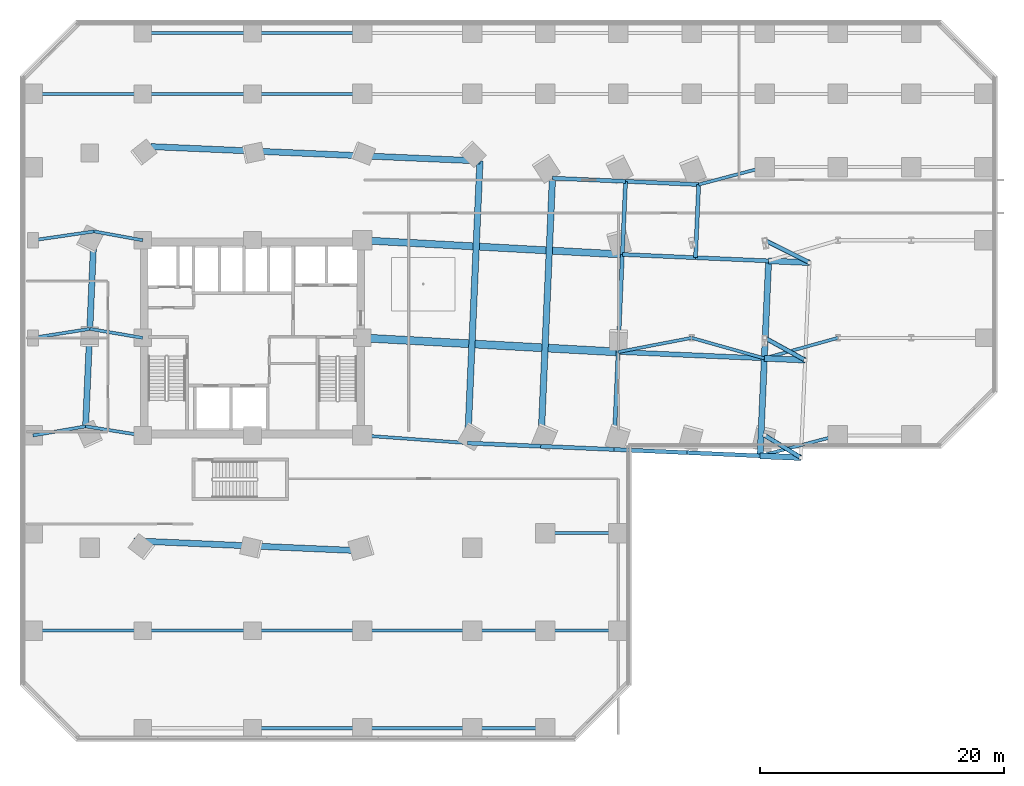
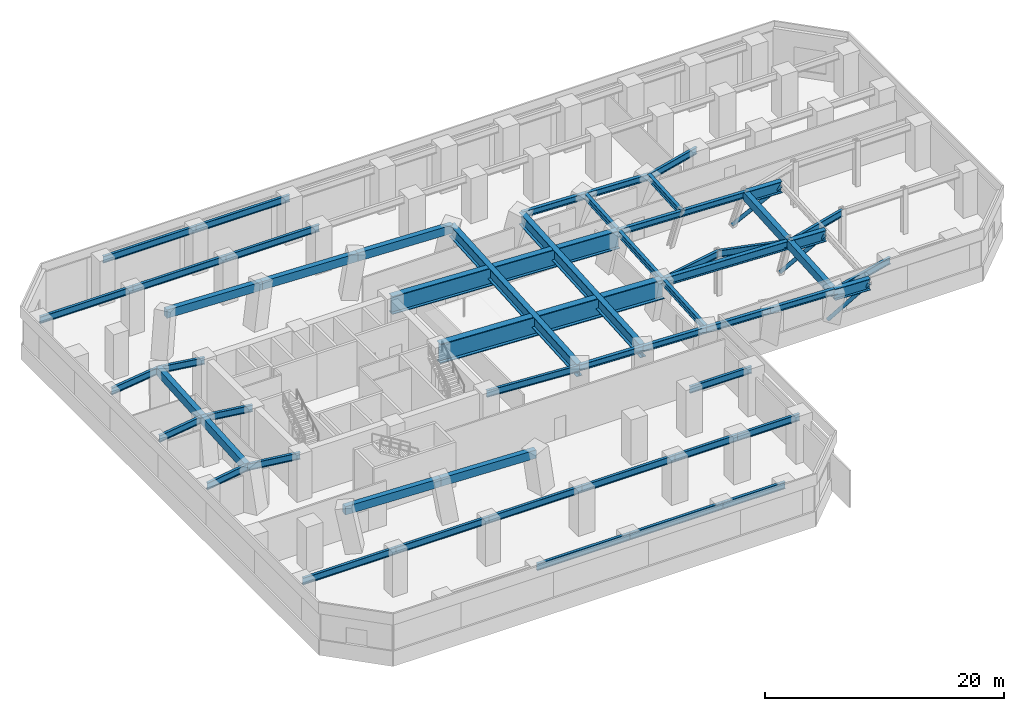
# One storey, part 2 of 14: 56 beams, 3 members.
"""IFC4 building model written with IfcOpenShell, lengths in metres."""

from ifc_helpers import new_model, si_unit, direction, frame, origin, origin_2d, place, context, subcontext, project, spatial, rectangle, hollow_circle, i_section, extrude, source, transform, mapped, material, material_profile, profile_set, type_object, element, save


model = new_model("IFC4")

# Units and contexts
model_context = context("Model", 3, precision=1e-05, world=origin(), true_north=direction((0.0, 1.0)))
body_context = subcontext(model_context, "Body", "Model", "MODEL_VIEW")
ifc_project = project(units=[si_unit("LENGTHUNIT", "METRE"), si_unit("AREAUNIT", "SQUARE_METRE"), si_unit("VOLUMEUNIT", "CUBIC_METRE"), si_unit("PLANEANGLEUNIT", "RADIAN"), si_unit("MASSUNIT", "GRAM", prefix="KILO")], contexts=[model_context])

# Site, building, storey
site_placement = place(None, origin())
site = spatial("IfcSite", under=ifc_project, at=site_placement, CompositionType="ELEMENT")
building_placement = place(site_placement, origin())
building = spatial("IfcBuilding", under=site, at=building_placement, Name="Torre Montelarca", CompositionType="ELEMENT")
storey_placement = place(building_placement, frame((0.0, 0.0, 28.0)))
storey = spatial("IfcBuildingStorey", under=building, at=storey_placement, Name="L06", CompositionType="ELEMENT", Elevation=28.0)

# Members
ifc_material_1 = material(Name="Steel ASTM A500 Grade C", Category="steel")
ifc_material_profile_1 = material_profile(ifc_material_1, hollow_circle(Radius=0.177734375, WallThickness=0.015869140625, at=origin_2d()), Name="HSS355.6X15.9", Category="steel")
ifc_profile_set_1 = profile_set([ifc_material_profile_1], Name="Steel ASTM A500 Grade C")
member_type = type_object("IfcMemberType", Name="MB-BR-CHS356-EXT", PredefinedType="BRACE", material=ifc_profile_set_1)
shared_shape_1 = source(origin(), body_context, "Body", "SweptSolid", [
    extrude(hollow_circle(Radius=0.177734375, WallThickness=0.015869140625, at=origin_2d()), origin(), (0.0, 0.0, 1.0), 5.1455078125),
])
member_1_placement = place(storey_placement, frame((60.0, 24.0, 0.14990234375), z_axis=(0.575485594308, -0.353290933731, 0.737564808601), x_axis=(0.523179779785, 0.852222340721, 0.0)))
element("IfcMember", 1, at=member_1_placement, inside=storey, type_object=member_type, Name="L07 Sliding Tray Exterior Diagonal Raker Strut E1", PredefinedType="BRACE", context=body_context, shape_type="MappedRepresentation", body=[
    mapped(shared_shape_1, transform((0.0, 0.0, 0.0), scale=1.0)),
])
shared_shape_2 = source(origin(), body_context, "Body", "SweptSolid", [
    extrude(hollow_circle(Radius=0.177734375, WallThickness=0.015869140625, at=origin_2d()), origin(), (0.0, 0.0, 1.0), 5.356689453125),
])
member_2_placement = place(storey_placement, frame((60.0, 32.0, 0.14990234375), z_axis=(0.617980900768, -0.340780529172, 0.708497168112), x_axis=(0.482887821121, 0.875682221021, 0.0)))
element("IfcMember", 2, at=member_2_placement, inside=storey, type_object=member_type, Name="L07 Sliding Tray Exterior Diagonal Raker Strut E2", PredefinedType="BRACE", context=body_context, shape_type="MappedRepresentation", body=[
    mapped(shared_shape_2, transform((0.0, 0.0, 0.0), scale=1.0)),
])
shared_shape_3 = source(origin(), body_context, "Body", "SweptSolid", [
    extrude(hollow_circle(Radius=0.177734375, WallThickness=0.015869140625, at=origin_2d()), origin(), (0.0, 0.0, 1.0), 5.58154296875),
])
member_3_placement = place(storey_placement, frame((60.0, 40.0, 0.14990234375), z_axis=(0.655594349774, -0.328409552849, 0.679958244411), x_axis=(0.447881594579, 0.894092879536, 0.0)))
element("IfcMember", 3, at=member_3_placement, inside=storey, type_object=member_type, Name="L07 Sliding Tray Exterior Diagonal Raker Strut E3", PredefinedType="BRACE", context=body_context, shape_type="MappedRepresentation", body=[
    mapped(shared_shape_3, transform((0.0, 0.0, 0.0), scale=1.0)),
])

# Beams
ifc_material_2 = material(Name="Concrete C55/67", Category="concrete")
ifc_material_profile_2 = material_profile(ifc_material_2, rectangle(XDim=0.5, YDim=0.85009765625, at=origin_2d()), Name="RCB500X850", Category="concrete")
ifc_profile_set_2 = profile_set([ifc_material_profile_2], Name="Concrete C55/67")
beam_type_1 = type_object("IfcBeamType", Name="BM-SP-RC850-EXT", PredefinedType="SPANDREL", material=ifc_profile_set_2)
shared_shape_4 = source(origin(), body_context, "Body", "SweptSolid", [
    extrude(rectangle(XDim=0.5, YDim=0.85009765625, at=origin_2d()), origin(), (0.0, 0.0, 1.0), 9.0),
])
for number, where, z_axis, x_axis, name in (
    (4, (8.26171875, 15.361572265625, 4.094970703125), (0.999048208421, -0.043619688809, 0.0), (0.043619688809, 0.999048208421, 0.0), "L06 Grid Girder X 9.0-18.0 at Y=14.8"),
    (5, (27.655517578125, 46.895751953125, 4.094970703125), (0.999048208421, -0.043619688809, 0.0), (0.043619688809, 0.999048208421, 0.0), "L06 Grid Girder X 27.0-36.0 at Y=47.1"),
):
    element("IfcBeam", number, at=place(storey_placement, frame(where, z_axis=z_axis, x_axis=x_axis)), inside=storey, type_object=beam_type_1, Name=name, PredefinedType="SPANDREL", context=body_context, shape_type="MappedRepresentation", body=[
        mapped(shared_shape_4, transform((0.0, 0.0, 0.0), scale=1.0)),
    ])
ifc_material_3 = material(Name="Steel ASTM A992 Grade 50", Category="steel")
ifc_material_profile_3 = material_profile(ifc_material_3, i_section(OverallWidth=0.326904296875, OverallDepth=0.6220703125, WebThickness=0.015380859375, FlangeThickness=0.0244140625, FilletRadius=0.014892578125, at=origin_2d()), Name="W610X195", Category="steel")
ifc_profile_set_3 = profile_set([ifc_material_profile_3], Name="Steel ASTM A992 Grade 50")
beam_type_2 = type_object("IfcBeamType", Name="BM-G-W610H", PredefinedType="BEAM", material=ifc_profile_set_3)
shared_shape_5 = source(origin(), body_context, "Body", "SweptSolid", [
    extrude(i_section(OverallWidth=0.326904296875, OverallDepth=0.6220703125, WebThickness=0.015380859375, FlangeThickness=0.0244140625, FilletRadius=0.014892578125, at=origin_2d()), origin(), (0.0, 0.0, 1.0), 6.0),
])
for number, where, z_axis, x_axis, name in (
    (6, (35.63720703125, 23.375, 4.208984375), (0.999048234227, -0.043619097751, 0.0), (0.043619097751, 0.999048234227, 0.0), "L06 Grid Girder X 36.0-42.0 at Y=24.0"),
    (7, (47.625732421875, 22.851806640625, 4.208984375), (0.999048234227, -0.043619097751, 0.0), (0.043619097751, 0.999048234227, 0.0), "L06 Grid Girder X 48.0-54.0 at Y=24.0"),
    (8, (53.6201171875, 22.590087890625, 4.208984375), (0.999048234227, -0.043619097751, 0.0), (0.043619097751, 0.999048234227, 0.0), "L06 Grid Girder X 54.0-60.0 at Y=24.0"),
    (9, (48.32373046875, 38.83642578125, 4.208984375), (0.999048234227, -0.043619097751, 0.0), (0.043619097751, 0.999048234227, 0.0), "L06 Grid Girder X 48.0-54.0 at Y=40.0"),
    (10, (48.32373046875, 38.83642578125, 4.208984375), (0.043619097751, 0.999048234227, 0.0), (-0.999048234227, 0.043619097751, 0.0), "L06 Grid Girder Y 40.0-46.0 at X=48.0"),
    (11, (54.318115234375, 38.57470703125, 4.208984375), (0.043578485603, 0.999050006552, 0.0), (-0.999050006552, 0.043578485603, 0.0), "L06 Grid Girder Y 40.0-46.0 at X=54.0"),
):
    element("IfcBeam", number, at=place(storey_placement, frame(where, z_axis=z_axis, x_axis=x_axis)), inside=storey, type_object=beam_type_2, Name=name, PredefinedType="BEAM", context=body_context, shape_type="MappedRepresentation", body=[
        mapped(shared_shape_5, transform((0.0, 0.0, 0.0), scale=1.0)),
    ])
shared_shape_6 = source(origin(), body_context, "Body", "SweptSolid", [
    extrude(rectangle(XDim=0.5, YDim=0.85009765625, at=origin_2d()), origin(), (0.0, 0.0, 1.0), 8.0),
])
for number, where, z_axis, x_axis, name in (
    (12, (4.317138671875, 24.74267578125, 4.094970703125), (0.043609387923, 0.999048658117, 0.0), (-0.999048658117, 0.043609387923, 0.0), "L06 Grid Girder Y 24.0-32.0 at X=4.7"),
    (13, (59.614501953125, 22.328369140625, 4.094970703125), (0.043609387923, 0.999048658117, 0.0), (-0.999048658117, 0.043609387923, 0.0), "L06 Grid Girder Y 24.0-32.0 at X=60.0"),
):
    element("IfcBeam", number, at=place(storey_placement, frame(where, z_axis=z_axis, x_axis=x_axis)), inside=storey, type_object=beam_type_1, Name=name, PredefinedType="SPANDREL", context=body_context, shape_type="MappedRepresentation", body=[
        mapped(shared_shape_6, transform((0.0, 0.0, 0.0), scale=1.0)),
    ])
shared_shape_7 = source(origin(), body_context, "Body", "SweptSolid", [
    extrude(i_section(OverallWidth=0.326904296875, OverallDepth=0.6220703125, WebThickness=0.015380859375, FlangeThickness=0.0244140625, FilletRadius=0.014892578125, at=origin_2d()), origin(), (0.0, 0.0, 1.0), 8.0),
])
beam_1_placement = place(storey_placement, frame((47.974853515625, 30.843994140625, 4.208984375), z_axis=(0.043609387923, 0.999048658117, 0.0), x_axis=(-0.999048658117, 0.043609387923, 0.0)))
element("IfcBeam", 14, at=beam_1_placement, inside=storey, type_object=beam_type_2, Name="L06 Grid Girder Y 32.0-40.0 at X=48.0", PredefinedType="BEAM", context=body_context, shape_type="MappedRepresentation", body=[
    mapped(shared_shape_7, transform((0.0, 0.0, 0.0), scale=1.0)),
])
ifc_material_4 = material(Name="Steel ASTM A572 Grade 50", Category="steel")
ifc_material_profile_4 = material_profile(ifc_material_4, i_section(OverallWidth=0.64990234375, OverallDepth=2.0, WebThickness=0.035888671875, FlangeThickness=0.074951171875, at=origin_2d()), Name="PG2000X650X36X75", Category="steel")
ifc_profile_set_4 = profile_set([ifc_material_profile_4], Name="Steel ASTM A572 Grade 50")
beam_type_3 = type_object("IfcBeamType", Name="BM-TG-PG2400", PredefinedType="USERDEFINED", material=ifc_profile_set_4)
shared_shape_8 = source(origin(), body_context, "Body", "SweptSolid", [
    extrude(i_section(OverallWidth=0.64990234375, OverallDepth=2.0, WebThickness=0.035888671875, FlangeThickness=0.074951171875, at=origin_2d()), origin(), (0.0, 0.0, 1.0), 21.006591796875),
])
beam_2_placement = place(storey_placement, frame((27.0, 32.0, 3.52001953125), z_axis=(0.99848468059, -0.055030379135, 0.0), x_axis=(0.055030379135, 0.99848468059, 0.0)))
element("IfcBeam", 15, at=beam_2_placement, inside=storey, type_object=beam_type_3, Name="L06 Steel Transfer Girder Y=32m", ObjectType="TRANSFER GIRDER", PredefinedType="USERDEFINED", context=body_context, shape_type="MappedRepresentation", body=[
    mapped(shared_shape_8, transform((0.0, 0.0, 0.0), scale=1.0)),
])
ifc_material_profile_5 = material_profile(ifc_material_4, i_section(OverallWidth=0.580078125, OverallDepth=1.85009765625, WebThickness=0.030029296875, FlangeThickness=0.06494140625, at=origin_2d()), Name="PG1850X580X30X65", Category="steel")
ifc_profile_set_5 = profile_set([ifc_material_profile_5], Name="Steel ASTM A572 Grade 50")
beam_type_4 = type_object("IfcBeamType", Name="BM-TG-PG2200", PredefinedType="USERDEFINED", material=ifc_profile_set_5)
shared_shape_9 = source(origin(), body_context, "Body", "SweptSolid", [
    extrude(i_section(OverallWidth=0.580078125, OverallDepth=1.85009765625, WebThickness=0.030029296875, FlangeThickness=0.06494140625, at=origin_2d()), origin(), (0.0, 0.0, 1.0), 21.35546875),
])
beam_3_placement = place(storey_placement, frame((27.0, 40.0, 3.594970703125), z_axis=(0.998514532069, -0.054486046345, 0.0), x_axis=(0.054486046345, 0.998514532069, 0.0)))
element("IfcBeam", 16, at=beam_3_placement, inside=storey, type_object=beam_type_4, Name="L06 Steel Transfer Girder Y=40m", ObjectType="TRANSFER GIRDER", PredefinedType="USERDEFINED", context=body_context, shape_type="MappedRepresentation", body=[
    mapped(shared_shape_9, transform((0.0, 0.0, 0.0), scale=1.0)),
])
ifc_material_profile_6 = material_profile(ifc_material_4, i_section(OverallWidth=0.52001953125, OverallDepth=1.25, WebThickness=0.02587890625, FlangeThickness=0.054931640625, at=origin_2d()), Name="PG1250X520X26X55", Category="steel")
ifc_profile_set_6 = profile_set([ifc_material_profile_6], Name="Steel ASTM A572 Grade 50")
beam_type_5 = type_object("IfcBeamType", Name="BM-TG-PG1800", PredefinedType="USERDEFINED", material=ifc_profile_set_6)
shared_shape_10 = source(origin(), body_context, "Body", "SweptSolid", [
    extrude(i_section(OverallWidth=0.52001953125, OverallDepth=1.25, WebThickness=0.02587890625, FlangeThickness=0.054931640625, at=origin_2d()), origin(), (0.0, 0.0, 1.0), 23.150146484375),
])
beam_4_placement = place(storey_placement, frame((35.63720703125, 23.375, 3.89501953125), z_axis=(0.04361799685, 0.999048282292, 0.0), x_axis=(-0.999048282292, 0.04361799685, 0.0)))
element("IfcBeam", 17, at=beam_4_placement, inside=storey, type_object=beam_type_5, Name="L06 Transverse Steel Transfer Girder X=36m", ObjectType="TRANSFER GIRDER", PredefinedType="USERDEFINED", context=body_context, shape_type="MappedRepresentation", body=[
    mapped(shared_shape_10, transform((0.0, 0.0, 0.0), scale=1.0)),
])
shared_shape_11 = source(origin(), body_context, "Body", "SweptSolid", [
    extrude(i_section(OverallWidth=0.52001953125, OverallDepth=1.25, WebThickness=0.02587890625, FlangeThickness=0.054931640625, at=origin_2d()), origin(), (0.0, 0.0, 1.0), 22.000244140625),
])
beam_5_placement = place(storey_placement, frame((41.631591796875, 23.11328125, 3.89501953125), z_axis=(0.043623112174, 0.999048058946, 0.0), x_axis=(-0.999048058946, 0.043623112174, 0.0)))
element("IfcBeam", 18, at=beam_5_placement, inside=storey, type_object=beam_type_5, Name="L06 Transverse Steel Transfer Girder X=42m", ObjectType="TRANSFER GIRDER", PredefinedType="USERDEFINED", context=body_context, shape_type="MappedRepresentation", body=[
    mapped(shared_shape_11, transform((0.0, 0.0, 0.0), scale=1.0)),
])
ifc_material_profile_7 = material_profile(ifc_material_3, i_section(OverallWidth=0.256103515625, OverallDepth=0.693115234375, WebThickness=0.014404296875, FlangeThickness=0.023681640625, FilletRadius=0.01806640625, at=origin_2d()), Name="W690X170", Category="steel")
ifc_profile_set_7 = profile_set([ifc_material_profile_7], Name="Steel ASTM A992 Grade 50")
beam_type_6 = type_object("IfcBeamType", Name="BM-G-W690", PredefinedType="BEAM", material=ifc_profile_set_7)
shared_shape_12 = source(origin(), body_context, "Body", "SweptSolid", [
    extrude(i_section(OverallWidth=0.256103515625, OverallDepth=0.693115234375, WebThickness=0.014404296875, FlangeThickness=0.023681640625, FilletRadius=0.01806640625, at=origin_2d()), origin(), (0.0, 0.0, 1.0), 9.0),
])
for number, where, z_axis, x_axis, name in (
    (19, (18.0, 0.0, 4.154052734375), (1.0, 0.0, 0.0), (0.0, 1.0, 0.0), "L06 Podium Roof Cap Girder 18-27 Y=0m"),
    (20, (27.0, 0.0, 4.154052734375), (1.0, 0.0, 0.0), (0.0, 1.0, 0.0), "L06 Podium Roof Cap Girder 27-36 Y=0m"),
    (21, (0.0, 8.0, 4.154052734375), (1.0, 0.0, 0.0), (0.0, 1.0, 0.0), "L06 Podium Roof Cap Girder 0-9 Y=8m"),
    (22, (9.0, 8.0, 4.154052734375), (1.0, 0.0, 0.0), (0.0, 1.0, 0.0), "L06 Podium Roof Cap Girder 9-18 Y=8m"),
    (23, (18.0, 8.0, 4.154052734375), (1.0, 0.0, 0.0), (0.0, 1.0, 0.0), "L06 Podium Roof Cap Girder 18-27 Y=8m"),
    (24, (27.0, 8.0, 4.154052734375), (1.0, 0.0, 0.0), (0.0, 1.0, 0.0), "L06 Podium Roof Cap Girder 27-36 Y=8m"),
    (25, (0.0, 52.0, 4.154052734375), (1.0, 0.0, 0.0), (0.0, 1.0, 0.0), "L06 Podium Roof Cap Girder 0-9 Y=52m"),
    (26, (9.0, 52.0, 4.154052734375), (1.0, 0.0, 0.0), (0.0, 1.0, 0.0), "L06 Podium Roof Cap Girder 9-18 Y=52m"),
    (27, (18.0, 52.0, 4.154052734375), (1.0, 0.0, 0.0), (0.0, 1.0, 0.0), "L06 Podium Roof Cap Girder 18-27 Y=52m"),
    (28, (9.0, 57.0, 4.154052734375), (1.0, 0.0, 0.0), (0.0, 1.0, 0.0), "L06 Podium Roof Cap Girder 9-18 Y=57m"),
    (29, (18.0, 57.0, 4.154052734375), (1.0, 0.0, 0.0), (0.0, 1.0, 0.0), "L06 Podium Roof Cap Girder 18-27 Y=57m"),
):
    element("IfcBeam", number, at=place(storey_placement, frame(where, z_axis=z_axis, x_axis=x_axis)), inside=storey, type_object=beam_type_6, Name=name, PredefinedType="BEAM", context=body_context, shape_type="MappedRepresentation", body=[
        mapped(shared_shape_12, transform((0.0, 0.0, 0.0), scale=1.0)),
    ])
shared_shape_13 = source(origin(), body_context, "Body", "SweptSolid", [
    extrude(i_section(OverallWidth=0.256103515625, OverallDepth=0.693115234375, WebThickness=0.014404296875, FlangeThickness=0.023681640625, FilletRadius=0.01806640625, at=origin_2d()), origin(), (0.0, 0.0, 1.0), 6.0),
])
for number, where, z_axis, x_axis, name in (
    (30, (36.0, 0.0, 4.154052734375), (1.0, 0.0, 0.0), (0.0, 1.0, 0.0), "L06 Podium Roof Cap Girder 36-42 Y=0m"),
    (31, (36.0, 8.0, 4.154052734375), (1.0, 0.0, 0.0), (0.0, 1.0, 0.0), "L06 Podium Roof Cap Girder 36-42 Y=8m"),
    (32, (42.0, 8.0, 4.154052734375), (1.0, 0.0, 0.0), (0.0, 1.0, 0.0), "L06 Podium Roof Cap Girder 42-48 Y=8m"),
    (33, (42.0, 16.0, 4.154052734375), (1.0, 0.0, 0.0), (0.0, 1.0, 0.0), "L06 Podium Roof Cap Girder 42-48 Y=16m"),
):
    element("IfcBeam", number, at=place(storey_placement, frame(where, z_axis=z_axis, x_axis=x_axis)), inside=storey, type_object=beam_type_6, Name=name, PredefinedType="BEAM", context=body_context, shape_type="MappedRepresentation", body=[
        mapped(shared_shape_13, transform((0.0, 0.0, 0.0), scale=1.0)),
    ])
shared_shape_14 = source(origin(), body_context, "Body", "SweptSolid", [
    extrude(i_section(OverallWidth=0.256103515625, OverallDepth=0.693115234375, WebThickness=0.014404296875, FlangeThickness=0.023681640625, FilletRadius=0.01806640625, at=origin_2d()), origin(), (0.0, 0.0, 1.0), 4.380615234375),
])
beam_6_placement = place(storey_placement, frame((0.0, 24.0, 4.154052734375), z_axis=(0.985523438412, 0.169539235404, 0.0), x_axis=(-0.169539235404, 0.985523438412, 0.0)))
element("IfcBeam", 34, at=beam_6_placement, inside=storey, type_object=beam_type_6, Name="L06 Podium Roof Cap Girder 0-5 Y=24m", PredefinedType="BEAM", context=body_context, shape_type="MappedRepresentation", body=[
    mapped(shared_shape_14, transform((0.0, 0.0, 0.0), scale=1.0)),
])
shared_shape_15 = source(origin(), body_context, "Body", "SweptSolid", [
    extrude(i_section(OverallWidth=0.256103515625, OverallDepth=0.693115234375, WebThickness=0.014404296875, FlangeThickness=0.023681640625, FilletRadius=0.01806640625, at=origin_2d()), origin(), (0.0, 0.0, 1.0), 4.741455078125),
])
beam_7_placement = place(storey_placement, frame((4.317138671875, 24.74267578125, 4.154052734375), z_axis=(0.987656273281, -0.156636795961, 0.0), x_axis=(0.156636795961, 0.987656273281, 0.0)))
element("IfcBeam", 35, at=beam_7_placement, inside=storey, type_object=beam_type_6, Name="L06 Podium Roof Cap Girder 5-9 Y=24m", PredefinedType="BEAM", context=body_context, shape_type="MappedRepresentation", body=[
    mapped(shared_shape_15, transform((0.0, 0.0, 0.0), scale=1.0)),
])
shared_shape_16 = source(origin(), body_context, "Body", "SweptSolid", [
    extrude(i_section(OverallWidth=0.256103515625, OverallDepth=0.693115234375, WebThickness=0.014404296875, FlangeThickness=0.023681640625, FilletRadius=0.01806640625, at=origin_2d()), origin(), (0.0, 0.0, 1.0), 8.659912109375),
])
beam_8_placement = place(storey_placement, frame((27.0, 24.0, 4.154052734375), z_axis=(0.997392154064, -0.07217264725, 0.0), x_axis=(0.07217264725, 0.997392154064, 0.0)))
element("IfcBeam", 36, at=beam_8_placement, inside=storey, type_object=beam_type_6, Name="L06 Podium Roof Cap Girder 27-36 Y=24m", PredefinedType="BEAM", context=body_context, shape_type="MappedRepresentation", body=[
    mapped(shared_shape_16, transform((0.0, 0.0, 0.0), scale=1.0)),
])
shared_shape_17 = source(origin(), body_context, "Body", "SweptSolid", [
    extrude(i_section(OverallWidth=0.256103515625, OverallDepth=0.693115234375, WebThickness=0.014404296875, FlangeThickness=0.023681640625, FilletRadius=0.01806640625, at=origin_2d()), origin(), (0.0, 0.0, 1.0), 6.6005859375),
])
beam_9_placement = place(storey_placement, frame((59.614501953125, 22.328369140625, 4.154052734375), z_axis=(0.96740049246, 0.253251430773, 0.0), x_axis=(-0.253251430773, 0.96740049246, 0.0)))
element("IfcBeam", 37, at=beam_9_placement, inside=storey, type_object=beam_type_6, Name="L06 Podium Roof Cap Girder 60-66 Y=24m", PredefinedType="BEAM", context=body_context, shape_type="MappedRepresentation", body=[
    mapped(shared_shape_17, transform((0.0, 0.0, 0.0), scale=1.0)),
])
shared_shape_18 = source(origin(), body_context, "Body", "SweptSolid", [
    extrude(i_section(OverallWidth=0.256103515625, OverallDepth=0.693115234375, WebThickness=0.014404296875, FlangeThickness=0.023681640625, FilletRadius=0.01806640625, at=origin_2d()), origin(), (0.0, 0.0, 1.0), 4.7236328125),
])
beam_10_placement = place(storey_placement, frame((0.0, 32.0, 4.154052734375), z_axis=(0.987816130065, 0.155625490144, 0.0), x_axis=(-0.155625490144, 0.987816130065, 0.0)))
element("IfcBeam", 38, at=beam_10_placement, inside=storey, type_object=beam_type_6, Name="L06 Podium Roof Cap Girder 0-5 Y=32m", PredefinedType="BEAM", context=body_context, shape_type="MappedRepresentation", body=[
    mapped(shared_shape_18, transform((0.0, 0.0, 0.0), scale=1.0)),
])
shared_shape_19 = source(origin(), body_context, "Body", "SweptSolid", [
    extrude(i_section(OverallWidth=0.256103515625, OverallDepth=0.693115234375, WebThickness=0.014404296875, FlangeThickness=0.023681640625, FilletRadius=0.01806640625, at=origin_2d()), origin(), (0.0, 0.0, 1.0), 4.39599609375),
])
beam_11_placement = place(storey_placement, frame((4.666015625, 32.735107421875, 4.154052734375), z_axis=(0.985918543699, -0.167226269439, 0.0), x_axis=(0.167226269439, 0.985918543699, 0.0)))
element("IfcBeam", 39, at=beam_11_placement, inside=storey, type_object=beam_type_6, Name="L06 Podium Roof Cap Girder 5-9 Y=32m", PredefinedType="BEAM", context=body_context, shape_type="MappedRepresentation", body=[
    mapped(shared_shape_19, transform((0.0, 0.0, 0.0), scale=1.0)),
])
shared_shape_20 = source(origin(), body_context, "Body", "SweptSolid", [
    extrude(i_section(OverallWidth=0.256103515625, OverallDepth=0.693115234375, WebThickness=0.014404296875, FlangeThickness=0.023681640625, FilletRadius=0.01806640625, at=origin_2d()), origin(), (0.0, 0.0, 1.0), 6.135009765625),
])
beam_12_placement = place(storey_placement, frame((47.974853515625, 30.843994140625, 4.154052734375), z_axis=(0.982087251454, 0.188426724569, 0.0), x_axis=(-0.188426724569, 0.982087251454, 0.0)))
element("IfcBeam", 40, at=beam_12_placement, inside=storey, type_object=beam_type_6, Name="L06 Podium Roof Cap Girder 48-54 Y=32m", PredefinedType="BEAM", context=body_context, shape_type="MappedRepresentation", body=[
    mapped(shared_shape_20, transform((0.0, 0.0, 0.0), scale=1.0)),
])
shared_shape_21 = source(origin(), body_context, "Body", "SweptSolid", [
    extrude(i_section(OverallWidth=0.256103515625, OverallDepth=0.693115234375, WebThickness=0.014404296875, FlangeThickness=0.023681640625, FilletRadius=0.01806640625, at=origin_2d()), origin(), (0.0, 0.0, 1.0), 6.1953125),
])
beam_13_placement = place(storey_placement, frame((54.0, 32.0, 4.154052734375), z_axis=(0.962566800681, -0.271044561331, 0.0), x_axis=(0.271044561331, 0.962566800681, 0.0)))
element("IfcBeam", 41, at=beam_13_placement, inside=storey, type_object=beam_type_6, Name="L06 Podium Roof Cap Girder 54-60 Y=32m", PredefinedType="BEAM", context=body_context, shape_type="MappedRepresentation", body=[
    mapped(shared_shape_21, transform((0.0, 0.0, 0.0), scale=1.0)),
])
shared_shape_22 = source(origin(), body_context, "Body", "SweptSolid", [
    extrude(i_section(OverallWidth=0.256103515625, OverallDepth=0.693115234375, WebThickness=0.014404296875, FlangeThickness=0.023681640625, FilletRadius=0.01806640625, at=origin_2d()), origin(), (0.0, 0.0, 1.0), 6.265869140625),
])
beam_14_placement = place(storey_placement, frame((59.96337890625, 30.32080078125, 4.154052734375), z_axis=(0.96342071561, 0.267993516216, 0.0), x_axis=(-0.267993516216, 0.96342071561, 0.0)))
element("IfcBeam", 42, at=beam_14_placement, inside=storey, type_object=beam_type_6, Name="L06 Podium Roof Cap Girder 60-66 Y=32m", PredefinedType="BEAM", context=body_context, shape_type="MappedRepresentation", body=[
    mapped(shared_shape_22, transform((0.0, 0.0, 0.0), scale=1.0)),
])
shared_shape_23 = source(origin(), body_context, "Body", "SweptSolid", [
    extrude(i_section(OverallWidth=0.256103515625, OverallDepth=0.693115234375, WebThickness=0.014404296875, FlangeThickness=0.023681640625, FilletRadius=0.01806640625, at=origin_2d()), origin(), (0.0, 0.0, 1.0), 5.0673828125),
])
beam_15_placement = place(storey_placement, frame((0.0, 40.0, 4.154052734375), z_axis=(0.989646619295, 0.143525499191, 0.0), x_axis=(-0.143525499191, 0.989646619295, 0.0)))
element("IfcBeam", 43, at=beam_15_placement, inside=storey, type_object=beam_type_6, Name="L06 Podium Roof Cap Girder 0-5 Y=40m", PredefinedType="BEAM", context=body_context, shape_type="MappedRepresentation", body=[
    mapped(shared_shape_23, transform((0.0, 0.0, 0.0), scale=1.0)),
])
shared_shape_24 = source(origin(), body_context, "Body", "SweptSolid", [
    extrude(i_section(OverallWidth=0.256103515625, OverallDepth=0.693115234375, WebThickness=0.014404296875, FlangeThickness=0.023681640625, FilletRadius=0.01806640625, at=origin_2d()), origin(), (0.0, 0.0, 1.0), 4.051025390625),
])
beam_16_placement = place(storey_placement, frame((5.014892578125, 40.727294921875, 4.154052734375), z_axis=(0.983751086834, -0.179537737406, 0.0), x_axis=(0.179537737406, 0.983751086834, 0.0)))
element("IfcBeam", 44, at=beam_16_placement, inside=storey, type_object=beam_type_6, Name="L06 Podium Roof Cap Girder 5-9 Y=40m", PredefinedType="BEAM", context=body_context, shape_type="MappedRepresentation", body=[
    mapped(shared_shape_24, transform((0.0, 0.0, 0.0), scale=1.0)),
])
shared_shape_25 = source(origin(), body_context, "Body", "SweptSolid", [
    extrude(i_section(OverallWidth=0.256103515625, OverallDepth=0.693115234375, WebThickness=0.014404296875, FlangeThickness=0.023681640625, FilletRadius=0.01806640625, at=origin_2d()), origin(), (0.0, 0.0, 1.0), 5.606201171875),
])
beam_17_placement = place(storey_placement, frame((54.57958984375, 44.569091796875, 4.154052734375), z_axis=(0.966877374319, 0.255241342712, 0.0), x_axis=(-0.255241342712, 0.966877374319, 0.0)))
element("IfcBeam", 45, at=beam_17_placement, inside=storey, type_object=beam_type_6, Name="L06 Podium Roof Cap Girder 54-60 Y=46m", PredefinedType="BEAM", context=body_context, shape_type="MappedRepresentation", body=[
    mapped(shared_shape_25, transform((0.0, 0.0, 0.0), scale=1.0)),
])
shared_shape_26 = source(origin(), body_context, "Body", "SweptSolid", [
    extrude(rectangle(XDim=0.5, YDim=0.85009765625, at=origin_2d()), origin(), (0.0, 0.0, 1.0), 8.999755859375),
])
for number, where, z_axis, x_axis, name in (
    (46, (17.253173828125, 14.968994140625, 4.094970703125), (0.999048156805, -0.043620870972, 0.0), (0.043620870972, 0.999048156805, 0.0), "L06 Grid Girder X 18.0-27.0 at Y=14.8"),
    (47, (18.664306640625, 47.2880859375, 4.094970703125), (0.999049338634, -0.043593795134, 0.0), (0.043593795134, 0.999049338634, 0.0), "L06 Grid Girder X 18.0-27.0 at Y=47.1"),
):
    element("IfcBeam", number, at=place(storey_placement, frame(where, z_axis=z_axis, x_axis=x_axis)), inside=storey, type_object=beam_type_1, Name=name, PredefinedType="SPANDREL", context=body_context, shape_type="MappedRepresentation", body=[
        mapped(shared_shape_26, transform((0.0, 0.0, 0.0), scale=1.0)),
    ])
shared_shape_27 = source(origin(), body_context, "Body", "SweptSolid", [
    extrude(i_section(OverallWidth=0.326904296875, OverallDepth=0.6220703125, WebThickness=0.015380859375, FlangeThickness=0.0244140625, FilletRadius=0.014892578125, at=origin_2d()), origin(), (0.0, 0.0, 1.0), 5.999755859375),
])
for number, where, z_axis, x_axis, name in (
    (48, (41.631591796875, 23.11328125, 4.208984375), (0.999049929275, -0.043580257179, 0.0), (0.043580257179, 0.999049929275, 0.0), "L06 Grid Girder X 42.0-48.0 at Y=24.0"),
    (49, (54.318115234375, 38.57470703125, 4.208984375), (0.999048156805, -0.043620870972, 0.0), (0.043620870972, 0.999048156805, 0.0), "L06 Grid Girder X 54.0-60.0 at Y=40.0"),
    (50, (42.59130859375, 45.092529296875, 4.208984375), (0.999048156805, -0.043620870972, 0.0), (0.043620870972, 0.999048156805, 0.0), "L06 Grid Girder X 42.0-48.0 at Y=46.0"),
    (51, (48.58544921875, 44.830810546875, 4.208984375), (0.999048156805, -0.043620870972, 0.0), (0.043620870972, 0.999048156805, 0.0), "L06 Grid Girder X 48.0-54.0 at Y=46.0"),
):
    element("IfcBeam", number, at=place(storey_placement, frame(where, z_axis=z_axis, x_axis=x_axis)), inside=storey, type_object=beam_type_2, Name=name, PredefinedType="BEAM", context=body_context, shape_type="MappedRepresentation", body=[
        mapped(shared_shape_27, transform((0.0, 0.0, 0.0), scale=1.0)),
    ])
ifc_material_profile_8 = material_profile(ifc_material_3, i_section(OverallWidth=0.39990234375, OverallDepth=0.85498046875, WebThickness=0.018310546875, FlangeThickness=0.029296875, FilletRadius=0.02001953125, at=origin_2d()), Name="W840X299", Category="steel")
ifc_profile_set_8 = profile_set([ifc_material_profile_8], Name="Steel ASTM A992 Grade 50")
beam_type_7 = type_object("IfcBeamType", Name="BM-G-W840", PredefinedType="BEAM", material=ifc_profile_set_8)
shared_shape_28 = source(origin(), body_context, "Body", "SweptSolid", [
    extrude(i_section(OverallWidth=0.39990234375, OverallDepth=0.85498046875, WebThickness=0.018310546875, FlangeThickness=0.029296875, FilletRadius=0.02001953125, at=origin_2d()), origin(), (0.0, 0.0, 1.0), 12.0),
])
beam_18_placement = place(storey_placement, frame((47.974853515625, 30.843994140625, 4.092041015625), z_axis=(0.999049081922, -0.043599677885, 0.0), x_axis=(0.043599677885, 0.999049081922, 0.0)))
element("IfcBeam", 52, at=beam_18_placement, inside=storey, type_object=beam_type_7, Name="L06 Grid Girder X 48.0-60.0 at Y=32.0", PredefinedType="BEAM", context=body_context, shape_type="MappedRepresentation", body=[
    mapped(shared_shape_28, transform((0.0, 0.0, 0.0), scale=1.0)),
])
shared_shape_29 = source(origin(), body_context, "Body", "SweptSolid", [
    extrude(rectangle(XDim=0.5, YDim=0.85009765625, at=origin_2d()), origin(), (0.0, 0.0, 1.0), 9.000244140625),
])
beam_19_placement = place(storey_placement, frame((9.672607421875, 47.680908203125, 4.094970703125), z_axis=(0.999047077599, -0.04364558099, 0.0), x_axis=(0.04364558099, 0.999047077599, 0.0)))
element("IfcBeam", 53, at=beam_19_placement, inside=storey, type_object=beam_type_1, Name="L06 Grid Girder X 9.0-18.0 at Y=47.1", PredefinedType="SPANDREL", context=body_context, shape_type="MappedRepresentation", body=[
    mapped(shared_shape_29, transform((0.0, 0.0, 0.0), scale=1.0)),
])
shared_shape_30 = source(origin(), body_context, "Body", "SweptSolid", [
    extrude(rectangle(XDim=0.5, YDim=0.85009765625, at=origin_2d()), origin(), (0.0, 0.0, 1.0), 7.999755859375),
])
for number, where, z_axis, x_axis, name in (
    (54, (4.666015625, 32.735107421875, 4.094970703125), (0.043610717544, 0.999048600077, 0.0), (-0.999048600077, 0.043610717544, 0.0), "L06 Grid Girder Y 32.0-40.0 at X=4.7"),
    (55, (59.96337890625, 30.32080078125, 4.094970703125), (0.043610717544, 0.999048600077, 0.0), (-0.999048600077, 0.043610717544, 0.0), "L06 Grid Girder Y 32.0-40.0 at X=60.0"),
):
    element("IfcBeam", number, at=place(storey_placement, frame(where, z_axis=z_axis, x_axis=x_axis)), inside=storey, type_object=beam_type_1, Name=name, PredefinedType="SPANDREL", context=body_context, shape_type="MappedRepresentation", body=[
        mapped(shared_shape_30, transform((0.0, 0.0, 0.0), scale=1.0)),
    ])
shared_shape_31 = source(origin(), body_context, "Body", "SweptSolid", [
    extrude(i_section(OverallWidth=0.326904296875, OverallDepth=0.6220703125, WebThickness=0.015380859375, FlangeThickness=0.0244140625, FilletRadius=0.014892578125, at=origin_2d()), origin(), (0.0, 0.0, 1.0), 7.999755859375),
])
beam_20_placement = place(storey_placement, frame((47.625732421875, 22.851806640625, 4.208984375), z_axis=(0.043641177787, 0.999047269953, 0.0), x_axis=(-0.999047269953, 0.043641177787, 0.0)))
element("IfcBeam", 56, at=beam_20_placement, inside=storey, type_object=beam_type_2, Name="L06 Grid Girder Y 24.0-32.0 at X=48.0", PredefinedType="BEAM", context=body_context, shape_type="MappedRepresentation", body=[
    mapped(shared_shape_31, transform((0.0, 0.0, 0.0), scale=1.0)),
])
ifc_material_profile_9 = material_profile(ifc_material_4, i_section(OverallWidth=0.47998046875, OverallDepth=1.14990234375, WebThickness=0.02197265625, FlangeThickness=0.044921875, at=origin_2d()), Name="PG1150X480X22X45", Category="steel")
ifc_profile_set_9 = profile_set([ifc_material_profile_9], Name="Steel ASTM A572 Grade 50")
beam_type_8 = type_object("IfcBeamType", Name="BM-CG-PG1400-EXT", PredefinedType="USERDEFINED", material=ifc_profile_set_9)
shared_shape_32 = source(origin(), body_context, "Body", "SweptSolid", [
    extrude(i_section(OverallWidth=0.47998046875, OverallDepth=1.14990234375, WebThickness=0.02197265625, FlangeThickness=0.044921875, at=origin_2d()), origin(), (0.0, 0.0, 1.0), 3.349853515625),
])
beam_21_placement = place(storey_placement, frame((59.614501953125, 22.328369140625, 3.945068359375), z_axis=(0.999046646297, -0.043655452373, 0.0), x_axis=(0.043655452373, 0.999046646297, 0.0)))
element("IfcBeam", 57, at=beam_21_placement, inside=storey, type_object=beam_type_8, Name="L06 Sliding Tray Cantilever Girder East Y=24m (FLR)", ObjectType="CANTILEVER GIRDER", PredefinedType="USERDEFINED", context=body_context, shape_type="MappedRepresentation", body=[
    mapped(shared_shape_32, transform((0.0, 0.0, 0.0), scale=1.0)),
])
shared_shape_33 = source(origin(), body_context, "Body", "SweptSolid", [
    extrude(i_section(OverallWidth=0.47998046875, OverallDepth=1.14990234375, WebThickness=0.02197265625, FlangeThickness=0.044921875, at=origin_2d()), origin(), (0.0, 0.0, 1.0), 3.35009765625),
])
for number, where, z_axis, x_axis, name in (
    (58, (59.96337890625, 30.32080078125, 3.945068359375), (0.999046785178, -0.043652274004, 0.0), (0.043652274004, 0.999046785178, 0.0), "L06 Sliding Tray Cantilever Girder East Y=32m (FLR)"),
    (59, (60.312255859375, 38.31298828125, 3.945068359375), (0.999049960678, -0.043579537274, 0.0), (0.043579537274, 0.999049960678, 0.0), "L06 Sliding Tray Cantilever Girder East Y=40m (FLR)"),
):
    element("IfcBeam", number, at=place(storey_placement, frame(where, z_axis=z_axis, x_axis=x_axis)), inside=storey, type_object=beam_type_8, Name=name, ObjectType="CANTILEVER GIRDER", PredefinedType="USERDEFINED", context=body_context, shape_type="MappedRepresentation", body=[
        mapped(shared_shape_33, transform((0.0, 0.0, 0.0), scale=1.0)),
    ])

save(model, "model.ifc")
